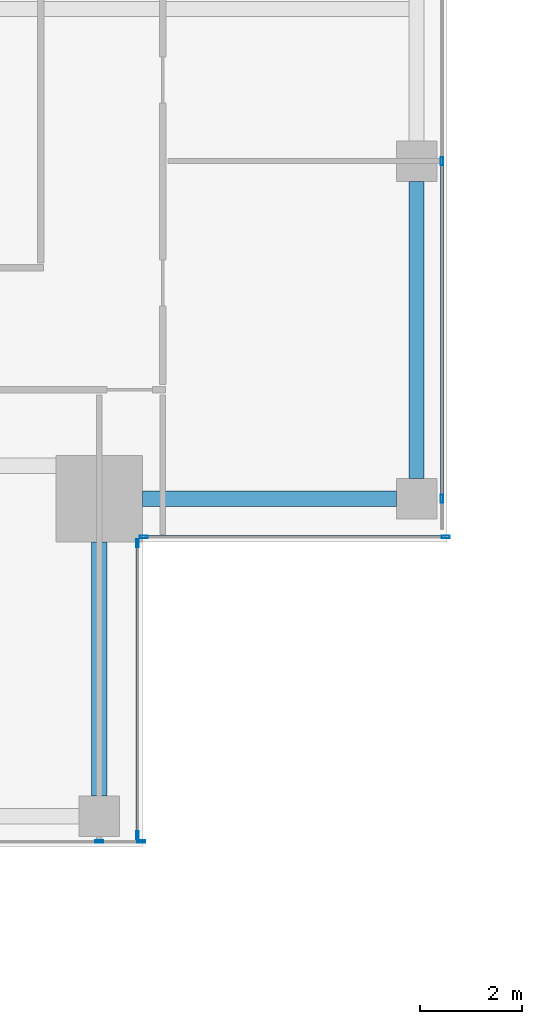
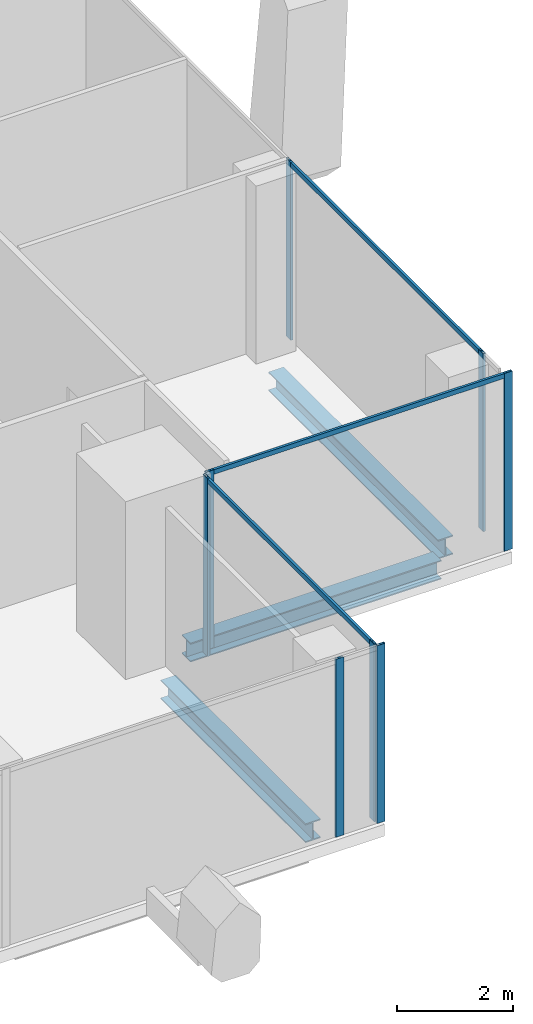
# One storey, part 7 of 28: 11 members, 3 beams, 4 elements without a shape of their own.
"""IFC4 building model written with IfcOpenShell, lengths in metres."""

import ifcopenshell
import ifcopenshell.guid

model = None  # the IFC model being written
_history = None  # IfcOwnerHistory: only IFC2X3 demands one
_inside = {}  # id of a spatial element -> (the spatial element, [elements in it])
_under = {}  # id of a project, library or spatial element -> (it, [spatial elements below it])
_declared = {}  # id of a project -> (the project, [libraries it declares])
_typed = {}  # id of a type object -> (the type object, [elements of that type])
_made_of = {}  # id of a material, layer set ... -> (it, [elements and type objects made of it])


def new_model(schema):
    """Start an empty IFC model of exactly this schema.

    Asked for "IFC4X3", IfcOpenShell would pick the latest addendum, in which some entities
    have other attributes; the version numbers below select the first issue.
    IFC2X3 requires an IfcOwnerHistory on every rooted entity: one is made here for all.
    """
    global model, _history
    if schema == "IFC4X3":
        model = ifcopenshell.file(schema_version=(4, 3, 0, 0))
    else:
        model = ifcopenshell.file(schema=schema)
    _inside.clear()
    _under.clear()
    _declared.clear()
    _typed.clear()
    _made_of.clear()
    _history = None
    if model.schema == "IFC2X3":
        org = make("IfcOrganization", Name="unknown")
        user = make(
            "IfcPersonAndOrganization",
            ThePerson=make("IfcPerson", FamilyName="unknown"),
            TheOrganization=org,
        )
        app = make(
            "IfcApplication",
            ApplicationDeveloper=org,
            Version="unknown",
            ApplicationFullName="unknown",
            ApplicationIdentifier="unknown",
        )
        _history = make(
            "IfcOwnerHistory",
            OwningUser=user,
            OwningApplication=app,
            ChangeAction="ADDED",
            CreationDate=0,
        )
    return model


def make(cls, **values):
    """One entity of the class cls with the attributes given. An attribute that is None is left unset."""
    return model.create_entity(
        cls, **{name: value for name, value in values.items() if value is not None}
    )


def rooted(cls, **values):
    """An entity with a GlobalId (a new one), such as an element, a storey or a relation."""
    return make(cls, GlobalId=ifcopenshell.guid.new(), OwnerHistory=_history, **values)


def si_unit(unit_type, name, prefix=None):
    """IfcSIUnit, for example si_unit("LENGTHUNIT", "METRE", prefix="MILLI")."""
    return make("IfcSIUnit", UnitType=unit_type, Prefix=prefix, Name=name)


def assignment(units):
    """IfcUnitAssignment: the units of a project."""
    return None if units is None else make("IfcUnitAssignment", Units=units)


def point(xyz):
    """IfcCartesianPoint."""
    return None if xyz is None else make("IfcCartesianPoint", Coordinates=xyz)


def direction(xyz):
    """IfcDirection."""
    return None if xyz is None else make("IfcDirection", DirectionRatios=xyz)


def frame(location, z_axis=None, x_axis=None):
    """IfcAxis2Placement3D, a coordinate frame: its origin and axes. An axis left out is left unset."""
    return make(
        "IfcAxis2Placement3D",
        Location=point(location),
        Axis=direction(z_axis),
        RefDirection=direction(x_axis),
    )


def frame_2d(location, x_axis=None):
    """IfcAxis2Placement2D, a coordinate frame in the plane: its origin and x axis."""
    return make(
        "IfcAxis2Placement2D", Location=point(location), RefDirection=direction(x_axis)
    )


def origin():
    """The frame at (0, 0, 0) with its axes left unset."""
    return frame((0.0, 0.0, 0.0))


def origin_2d():
    """The frame at (0, 0) in the plane with its x axis left unset."""
    return frame_2d((0.0, 0.0))


def place(relative_to, where):
    """IfcLocalPlacement: puts the frame where relative to a parent placement (None: the world)."""
    return make(
        "IfcLocalPlacement", PlacementRelTo=relative_to, RelativePlacement=where
    )


def context(
    kind, dimensions, precision=None, world=None, true_north=None, identifier=None
):
    """IfcGeometricRepresentationContext, for example the 3D "Model" context."""
    return make(
        "IfcGeometricRepresentationContext",
        ContextIdentifier=identifier,
        ContextType=kind,
        CoordinateSpaceDimension=dimensions,
        Precision=precision,
        WorldCoordinateSystem=world,
        TrueNorth=true_north,
    )


def subcontext(parent, identifier, kind, view, scale=None):
    """IfcGeometricRepresentationSubContext, for example "Body" below "Model"."""
    return make(
        "IfcGeometricRepresentationSubContext",
        ContextIdentifier=identifier,
        ContextType=kind,
        ParentContext=parent,
        TargetScale=scale,
        TargetView=view,
    )


def project(units=None, contexts=None):
    """IfcProject with its units and contexts."""
    return rooted(
        "IfcProject",
        Name="project",
        RepresentationContexts=contexts,
        UnitsInContext=assignment(units),
    )


def spatial(cls, under=None, at=None, **own):
    """A site, building, storey or space (cls), placed at a placement, below another one or the project."""
    s = rooted(cls, ObjectPlacement=at, **own)
    if under is not None:
        _under.setdefault(under.id(), (under, []))[1].append(s)
    return s


def profile(cls, at=None, kind="AREA", **sizes):
    """A parametric profile (cls). Its sizes go by their IFC names, for example OverallWidth=200.0."""
    return make(cls, ProfileType=kind, Position=at, **sizes)


def hollow_rectangle(**sizes):
    """IfcRectangleHollowProfileDef."""
    return profile("IfcRectangleHollowProfileDef", **sizes)


def i_section(**sizes):
    """IfcIShapeProfileDef."""
    return profile("IfcIShapeProfileDef", **sizes)


def extrude(swept, where, along, depth):
    """IfcExtrudedAreaSolid: the profile swept, set in the frame where, extruded along a direction by depth."""
    return make(
        "IfcExtrudedAreaSolid",
        SweptArea=swept,
        Position=where,
        ExtrudedDirection=direction(along),
        Depth=depth,
    )


def shape(context_of_items, identifier, shape_type, items):
    """IfcShapeRepresentation: the items that make up one representation, for example the "Body"."""
    return make(
        "IfcShapeRepresentation",
        ContextOfItems=context_of_items,
        RepresentationIdentifier=identifier,
        RepresentationType=shape_type,
        Items=items,
    )


def source(mapping_origin, context_of_items, identifier, shape_type, items):
    """IfcRepresentationMap: a shape defined once, which mapped items show again and again."""
    return make(
        "IfcRepresentationMap",
        MappingOrigin=mapping_origin,
        MappedRepresentation=shape(context_of_items, identifier, shape_type, items),
    )


def transform(
    local_origin,
    x_axis=None,
    y_axis=None,
    z_axis=None,
    scale=None,
    scale2=None,
    scale3=None,
    uniform=True,
):
    """IfcCartesianTransformationOperator3D, or its non-uniform kind. x_axis, y_axis, z_axis: its Axis1, 2, 3."""
    if uniform:
        return make(
            "IfcCartesianTransformationOperator3D",
            Axis1=direction(x_axis),
            Axis2=direction(y_axis),
            LocalOrigin=point(local_origin),
            Scale=scale,
            Axis3=direction(z_axis),
        )
    return make(
        "IfcCartesianTransformationOperator3DnonUniform",
        Axis1=direction(x_axis),
        Axis2=direction(y_axis),
        LocalOrigin=point(local_origin),
        Scale=scale,
        Axis3=direction(z_axis),
        Scale2=scale2,
        Scale3=scale3,
    )


def mapped(mapping_source, mapping_target):
    """IfcMappedItem: shows the shape of a source again, moved by a transform."""
    return make(
        "IfcMappedItem", MappingSource=mapping_source, MappingTarget=mapping_target
    )


def material(Name=None, Category=None):
    """IfcMaterial."""
    return make("IfcMaterial", Name=Name, Category=Category)


def material_profile(
    of_material, cross_section, Name=None, Category=None, Priority=None
):
    """IfcMaterialProfile: a cross section and its material."""
    return make(
        "IfcMaterialProfile",
        Name=Name,
        Material=of_material,
        Profile=cross_section,
        Priority=Priority,
        Category=Category,
    )


def profile_set(profiles, Name=None, composite=None):
    """IfcMaterialProfileSet."""
    return make(
        "IfcMaterialProfileSet",
        Name=Name,
        MaterialProfiles=profiles,
        CompositeProfile=composite,
    )


def made_of(thing, what):
    """Note that an element or type object is made of a material, layer set ...; save() writes the relation."""
    if what is not None:
        _made_of.setdefault(what.id(), (what, []))[1].append(thing)
    return thing


def type_object(cls, material=None, **own):
    """A type object (cls), such as IfcWallType, which elements share."""
    return made_of(rooted(cls, **own), material)


def element(
    cls,
    number,
    at=None,
    inside=None,
    cuts=None,
    type_object=None,
    material=None,
    context=None,
    identifier="Body",
    shape_type=None,
    held_by="IfcProductDefinitionShape",
    body=None,
    shapes=None,
    **own,
):
    """One element of the class cls, such as IfcWall. Its Tag is "e" and its number.

    at: its placement. inside: the storey or other place that contains it. cuts: it is an
    opening in that element (IfcRelVoidsElement). A single representation is given by context,
    identifier, shape_type and body (its items); several are given by shapes. held_by: the class
    of the entity that holds the representations. save() writes the other relations.
    """
    e = rooted(cls, Tag="e%d" % number, ObjectPlacement=at, **own)
    if body is not None:
        shapes = [shape(context, identifier, shape_type, body)]
    if shapes is not None:
        e.Representation = make(held_by, Representations=shapes)
    if inside is not None:
        _inside.setdefault(inside.id(), (inside, []))[1].append(e)
    if cuts is not None:
        rooted(
            "IfcRelVoidsElement", RelatingBuildingElement=cuts, RelatedOpeningElement=e
        )
    if type_object is not None:
        _typed.setdefault(type_object.id(), (type_object, []))[1].append(e)
    return made_of(e, material)


def aggregate(whole, parts):
    """IfcRelAggregates: a whole, such as a stair, and the parts it consists of."""
    return rooted("IfcRelAggregates", RelatingObject=whole, RelatedObjects=parts)


def save(model, path):
    """Write the relations noted so far, then the file.

    IfcRelAggregates (storeys below a building ...), IfcRelContainedInSpatialStructure (elements
    in a storey), IfcRelDefinesByType, IfcRelAssociatesMaterial and IfcRelDeclares: one each for
    every whole, place, type object, material and project.
    """
    for whole, parts in _under.values():
        aggregate(whole, parts)
    for where, things in _inside.values():
        rooted(
            "IfcRelContainedInSpatialStructure",
            RelatedElements=things,
            RelatingStructure=where,
        )
    for kind, things in _typed.values():
        rooted("IfcRelDefinesByType", RelatedObjects=things, RelatingType=kind)
    for what, things in _made_of.values():
        rooted("IfcRelAssociatesMaterial", RelatedObjects=things, RelatingMaterial=what)
    for by, libraries in _declared.values():
        rooted("IfcRelDeclares", RelatingContext=by, RelatedDefinitions=libraries)
    model.write(path)


model = new_model("IFC4")

# Units and contexts
model_context = context("Model", 3, precision=1e-05, world=origin(), true_north=direction((0.0, 1.0)))
body_context = subcontext(model_context, "Body", "Model", "MODEL_VIEW")
ifc_project = project(units=[si_unit("LENGTHUNIT", "METRE"), si_unit("AREAUNIT", "SQUARE_METRE"), si_unit("VOLUMEUNIT", "CUBIC_METRE"), si_unit("PLANEANGLEUNIT", "RADIAN"), si_unit("MASSUNIT", "GRAM", prefix="KILO")], contexts=[model_context])

# Site, building, storey
site_placement = place(None, origin())
site = spatial("IfcSite", under=ifc_project, at=site_placement, CompositionType="ELEMENT")
building_placement = place(site_placement, origin())
building = spatial("IfcBuilding", under=site, at=building_placement, Name="Khomas Fold Tower", CompositionType="ELEMENT")
storey_placement = place(building_placement, frame((0.0, 0.0, 298.199951171875)))
storey = spatial("IfcBuildingStorey", under=building, at=storey_placement, Name="L67", CompositionType="ELEMENT", Elevation=298.199951171875)

# Beams
ifc_material_1 = material(Name="Steel S355", Category="steel")
ifc_material_profile_1 = material_profile(ifc_material_1, i_section(OverallWidth=0.300048828125, OverallDepth=0.39990234375, WebThickness=0.013427734375, FlangeThickness=0.02392578125, at=origin_2d()), Name="HE 400 B")
ifc_profile_set_1 = profile_set([ifc_material_profile_1], Name="Steel S355")
beam_type = type_object("IfcBeamType", Name="HE 400 B spandrel SB5", PredefinedType="SPANDREL", material=ifc_profile_set_1)
shared_shape_1 = source(origin(), body_context, "Body", "SweptSolid", [
    extrude(i_section(OverallWidth=0.300048828125, OverallDepth=0.39990234375, WebThickness=0.013427734375, FlangeThickness=0.02392578125, at=origin_2d()), origin(), (0.0, 0.0, 1.0), 5.85009765625),
])
beam_placement = place(storey_placement, frame((47.39990234375, 13.25, -0.449951171875), z_axis=(0.0, 1.0, 0.0), x_axis=(-1.0, 0.0, 0.0)))
element("IfcBeam", 1, at=beam_placement, inside=storey, type_object=beam_type, Name="SB5", PredefinedType="SPANDREL", context=body_context, shape_type="MappedRepresentation", body=[
    mapped(shared_shape_1, transform((0.0, 0.0, 0.0))),
])
shared_shape_2 = source(origin(), body_context, "Body", "SweptSolid", [
    extrude(i_section(OverallWidth=0.300048828125, OverallDepth=0.39990234375, WebThickness=0.013427734375, FlangeThickness=0.02392578125, at=origin_2d()), origin(), (0.0, 0.0, 1.0), 5.0),
])
for number, where, z_axis, x_axis, name in (
    (2, (41.14990234375, 7.0, -0.449951171875), (0.0, 1.0, 0.0), (-1.0, 0.0, 0.0), "SB5"),
    (3, (42.0, 12.85009765625, -0.449951171875), (1.0, 0.0, 0.0), (0.0, 1.0, 0.0), "SB5"),
):
    element("IfcBeam", number, at=place(storey_placement, frame(where, z_axis=z_axis, x_axis=x_axis)), inside=storey, type_object=beam_type, Name=name, PredefinedType="SPANDREL", context=body_context, shape_type="MappedRepresentation", body=[
        mapped(shared_shape_2, transform((0.0, 0.0, 0.0))),
    ])

# Curtain wall, members
ifc_material_2 = material(Name="Aluminium framed double glazing", Category="aluminium")
curtain_wall_type = type_object("IfcCurtainWallType", Name="SK-Unitised clear-glass wall, upper floors CW3", PredefinedType="NOTDEFINED", material=ifc_material_2)
curtain_wall_1_placement = place(storey_placement, origin())
curtain_wall_1 = element("IfcCurtainWall", 4, at=curtain_wall_1_placement, inside=storey, type_object=curtain_wall_type, Name="CW3 run L67 00-0", PredefinedType="NOTDEFINED")
ifc_material_3 = material(Name="Aluminium", Category="aluminium")
ifc_material_profile_2 = material_profile(ifc_material_3, hollow_rectangle(XDim=0.050048828125, YDim=0.159912109375, WallThickness=0.00390625, at=origin_2d()), Name="SK-Unitised clear-glass wall, upper floors mullion CW3-M")
ifc_profile_set_2 = profile_set([ifc_material_profile_2], Name="Aluminium")
member_type_1 = type_object("IfcMemberType", Name="SK-Unitised clear-glass wall, upper floors mullion CW3-M", PredefinedType="MULLION", material=ifc_profile_set_2)
shared_shape_3 = source(origin(), body_context, "Body", "SweptSolid", [
    extrude(hollow_rectangle(XDim=0.050048828125, YDim=0.159912109375, WallThickness=0.00390625, at=origin_2d()), origin(), (0.0, 0.0, 1.0), 3.75),
])
member_1_placement = place(storey_placement, frame((41.14990234375, 6.10009765625, 0.0), z_axis=(0.0, 0.0, 1.0), x_axis=(0.0, 1.0, 0.0)))
member_1 = element("IfcMember", 5, at=member_1_placement, type_object=member_type_1, Name="CW3 mullion 6", PredefinedType="MULLION", context=body_context, shape_type="MappedRepresentation", body=[
    mapped(shared_shape_3, transform((0.0, 0.0, 0.0))),
])
member_2_placement = place(storey_placement, frame((41.97509765625, 6.10009765625, 0.0), z_axis=(0.0, 0.0, 1.0), x_axis=(0.0, 1.0, 0.0)))
member_2 = element("IfcMember", 6, at=member_2_placement, type_object=member_type_1, Name="CW3 mullion 7", PredefinedType="MULLION", context=body_context, shape_type="MappedRepresentation", body=[
    mapped(shared_shape_3, transform((0.0, 0.0, 0.0))),
])
aggregate(curtain_wall_1, [member_1, member_2])

curtain_wall_2_placement = place(storey_placement, origin())
curtain_wall_2 = element("IfcCurtainWall", 7, at=curtain_wall_2_placement, inside=storey, type_object=curtain_wall_type, Name="CW3 corner return L67 01", PredefinedType="NOTDEFINED")
member_3_placement = place(storey_placement, frame((41.89990234375, 6.22509765625, 0.0), z_axis=(0.0, 0.0, 1.0), x_axis=(-1.0, 0.0, 0.0)))
member_3 = element("IfcMember", 8, at=member_3_placement, type_object=member_type_1, Name="CW3 mullion 1", PredefinedType="MULLION", context=body_context, shape_type="MappedRepresentation", body=[
    mapped(shared_shape_3, transform((0.0, 0.0, 0.0))),
])
member_4_placement = place(storey_placement, frame((41.89990234375, 11.97509765625, 0.0), z_axis=(0.0, 0.0, 1.0), x_axis=(-1.0, 0.0, 0.0)))
member_4 = element("IfcMember", 9, at=member_4_placement, type_object=member_type_1, Name="CW3 mullion 2", PredefinedType="MULLION", context=body_context, shape_type="MappedRepresentation", body=[
    mapped(shared_shape_3, transform((0.0, 0.0, 0.0))),
])

curtain_wall_3_placement = place(storey_placement, origin())
curtain_wall_3 = element("IfcCurtainWall", 10, at=curtain_wall_3_placement, inside=storey, type_object=curtain_wall_type, Name="CW3 corner return L67 02", PredefinedType="NOTDEFINED")
member_5_placement = place(storey_placement, frame((42.02490234375, 12.10009765625, 0.0), z_axis=(0.0, 0.0, 1.0), x_axis=(0.0, 1.0, 0.0)))
member_5 = element("IfcMember", 11, at=member_5_placement, type_object=member_type_1, Name="CW3 mullion 1", PredefinedType="MULLION", context=body_context, shape_type="MappedRepresentation", body=[
    mapped(shared_shape_3, transform((0.0, 0.0, 0.0))),
])
member_6_placement = place(storey_placement, frame((47.97509765625, 12.10009765625, 0.0), z_axis=(0.0, 0.0, 1.0), x_axis=(0.0, 1.0, 0.0)))
member_6 = element("IfcMember", 12, at=member_6_placement, type_object=member_type_1, Name="CW3 mullion 2", PredefinedType="MULLION", context=body_context, shape_type="MappedRepresentation", body=[
    mapped(shared_shape_3, transform((0.0, 0.0, 0.0))),
])

curtain_wall_4_placement = place(storey_placement, origin())
curtain_wall_4 = element("IfcCurtainWall", 13, at=curtain_wall_4_placement, inside=storey, type_object=curtain_wall_type, Name="CW3 run L67 03-0", PredefinedType="NOTDEFINED")
member_7_placement = place(storey_placement, frame((47.89990234375, 12.85009765625, 0.0), z_axis=(0.0, 0.0, 1.0), x_axis=(-1.0, 0.0, 0.0)))
member_7 = element("IfcMember", 14, at=member_7_placement, type_object=member_type_1, Name="CW3 mullion 2", PredefinedType="MULLION", context=body_context, shape_type="MappedRepresentation", body=[
    mapped(shared_shape_3, transform((0.0, 0.0, 0.0))),
])
member_8_placement = place(storey_placement, frame((47.89990234375, 19.5, 0.0), z_axis=(0.0, 0.0, 1.0), x_axis=(-1.0, 0.0, 0.0)))
member_8 = element("IfcMember", 15, at=member_8_placement, type_object=member_type_1, Name="CW3 mullion 3", PredefinedType="MULLION", context=body_context, shape_type="MappedRepresentation", body=[
    mapped(shared_shape_3, transform((0.0, 0.0, 0.0))),
])
ifc_material_4 = material(Name="Aluminium", Category="aluminium")
ifc_material_profile_3 = material_profile(ifc_material_4, hollow_rectangle(XDim=0.050048828125, YDim=0.10009765625, WallThickness=0.00390625, at=origin_2d()), Name="SK-Unitised clear-glass wall, upper floors transom CW3-T")
ifc_profile_set_3 = profile_set([ifc_material_profile_3], Name="Aluminium")
member_type_2 = type_object("IfcMemberType", Name="SK-Unitised clear-glass wall, upper floors transom CW3-T", PredefinedType="USERDEFINED", material=ifc_profile_set_3)
shared_shape_4 = source(origin(), body_context, "Body", "SweptSolid", [
    extrude(hollow_rectangle(XDim=0.050048828125, YDim=0.10009765625, WallThickness=0.00390625, at=origin_2d()), origin(), (0.0, 0.0, 1.0), 6.60009765625),
])
member_9_placement = place(storey_placement, frame((47.89990234375, 12.875, 3.699951171875), z_axis=(0.0, 1.0, 0.0), x_axis=(-1.0, 0.0, 0.0)))
member_9 = element("IfcMember", 16, at=member_9_placement, type_object=member_type_2, Name="CW3 transom 2", ObjectType="TRANSOM", PredefinedType="USERDEFINED", context=body_context, shape_type="MappedRepresentation", body=[
    mapped(shared_shape_4, transform((0.0, 0.0, 0.0))),
])
aggregate(curtain_wall_4, [member_7, member_8, member_9])

# Member
shared_shape_5 = source(origin(), body_context, "Body", "SweptSolid", [
    extrude(hollow_rectangle(XDim=0.050048828125, YDim=0.10009765625, WallThickness=0.00390625, at=origin_2d()), origin(), (0.0, 0.0, 1.0), 5.699951171875),
])
member_10_placement = place(storey_placement, frame((41.89990234375, 6.25, 3.699951171875), z_axis=(0.0, 1.0, 0.0), x_axis=(-1.0, 0.0, 0.0)))
member_10 = element("IfcMember", 17, at=member_10_placement, type_object=member_type_2, Name="CW3 transom 1", ObjectType="TRANSOM", PredefinedType="USERDEFINED", context=body_context, shape_type="MappedRepresentation", body=[
    mapped(shared_shape_5, transform((0.0, 0.0, 0.0))),
])

aggregate(curtain_wall_2, [member_3, member_4, member_10])

shared_shape_6 = source(origin(), body_context, "Body", "SweptSolid", [
    extrude(hollow_rectangle(XDim=0.050048828125, YDim=0.10009765625, WallThickness=0.00390625, at=origin_2d()), origin(), (0.0, 0.0, 1.0), 5.89990234375),
])
member_11_placement = place(storey_placement, frame((42.050048828125, 12.10009765625, 3.699951171875), z_axis=(1.0, 0.0, 0.0), x_axis=(0.0, 1.0, 0.0)))
member_11 = element("IfcMember", 18, at=member_11_placement, type_object=member_type_2, Name="CW3 transom 1", ObjectType="TRANSOM", PredefinedType="USERDEFINED", context=body_context, shape_type="MappedRepresentation", body=[
    mapped(shared_shape_6, transform((0.0, 0.0, 0.0))),
])

aggregate(curtain_wall_3, [member_5, member_6, member_11])

save(model, "model.ifc")
